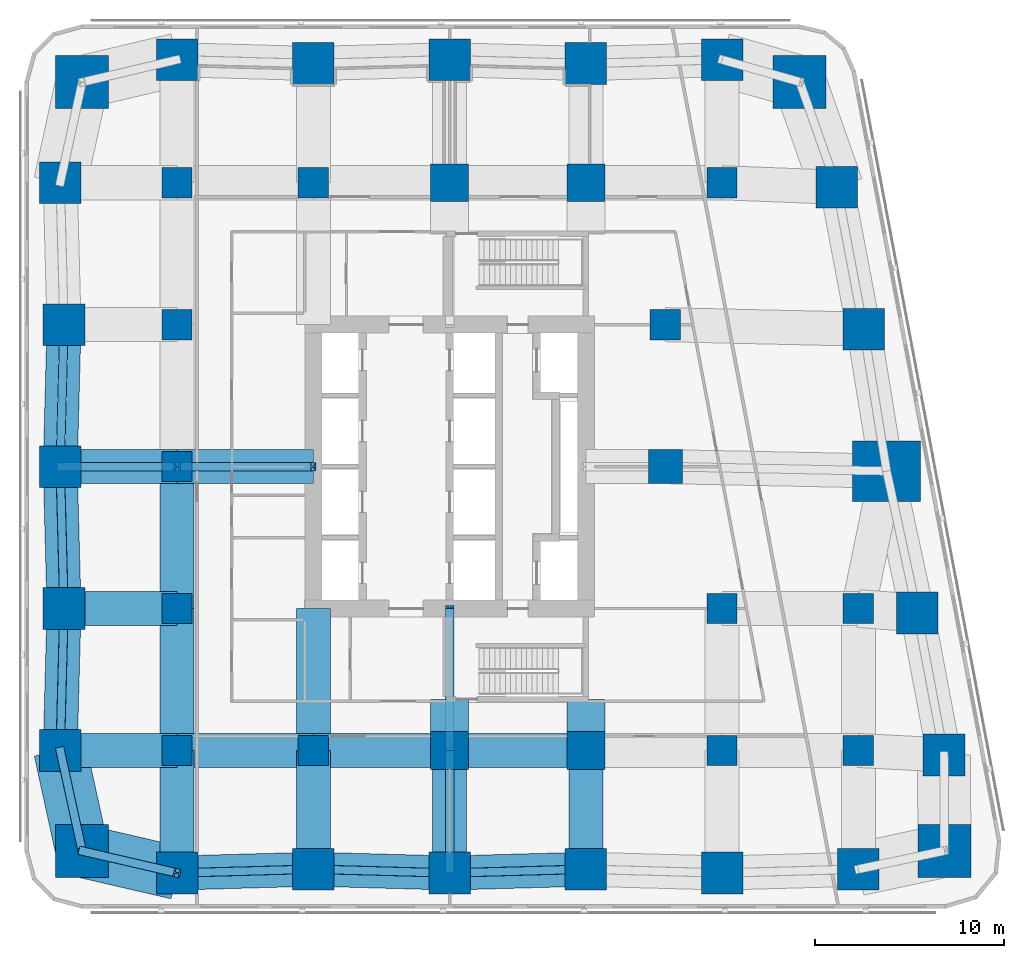
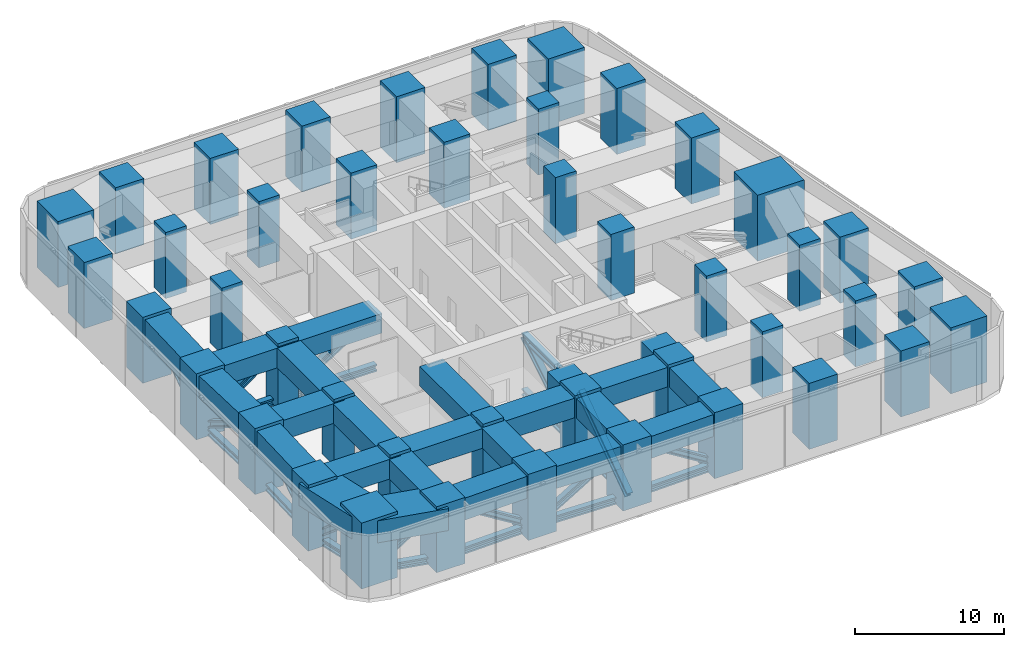
# One storey, part 1 of 10: 43 columns, 24 beams, 24 members.
"""IFC4 building model written with IfcOpenShell, lengths in metres."""

from ifc_helpers import new_model, si_unit, direction, frame, origin, origin_2d, place, context, subcontext, project, spatial, rectangle, i_section, extrude, material, material_profile, profile_set, type_object, element, save


model = new_model("IFC4")

# Units and contexts
model_context = context("Model", 3, precision=1e-05, world=origin(), true_north=direction((0.0, 1.0)))
body_context = subcontext(model_context, "Body", "Model", "MODEL_VIEW")
ifc_project = project(units=[si_unit("LENGTHUNIT", "METRE"), si_unit("AREAUNIT", "SQUARE_METRE"), si_unit("VOLUMEUNIT", "CUBIC_METRE"), si_unit("PLANEANGLEUNIT", "RADIAN"), si_unit("MASSUNIT", "GRAM", prefix="KILO")], contexts=[model_context])

# Site, building, storey
site_placement = place(None, origin())
site = spatial("IfcSite", under=ifc_project, at=site_placement, CompositionType="ELEMENT")
building_placement = place(site_placement, origin())
building = spatial("IfcBuilding", under=site, at=building_placement, Name="Sheger Commons Tower", CompositionType="ELEMENT")
storey_placement = place(building_placement, frame((0.0, 0.0, 130.39990234375)))
storey = spatial("IfcBuildingStorey", under=building, at=storey_placement, Name="L33", CompositionType="ELEMENT", Elevation=130.39990234375)

# Columns
ifc_material_1 = material(Name="Concrete C50/60", Category="concrete")
ifc_material_profile_1 = material_profile(ifc_material_1, rectangle(XDim=3.60009765625, YDim=3.199951171875, at=origin_2d()), Name="RC 3600x3200")
ifc_profile_set_1 = profile_set([ifc_material_profile_1], Name="Concrete C50/60")
column_type_1 = type_object("IfcColumnType", Name="COLUMN PIER RC 3600x3200", PredefinedType="COLUMN", material=ifc_profile_set_1)
column_1_placement = place(storey_placement, frame((44.697021484375, 22.262939453125, 0.0), z_axis=(0.0, 0.0, 1.0), x_axis=(1.0, 0.0, 0.0)))
element("IfcColumn", 1, at=column_1_placement, inside=storey, type_object=column_type_1, Name="Pier 7/D+E/D L33", PredefinedType="COLUMN", context=body_context, shape_type="SweptSolid", body=[
    extrude(rectangle(XDim=3.60009765625, YDim=3.199951171875, at=origin_2d()), origin(), (0.0, 0.0, 1.0), 5.400146484375),
])
ifc_material_2 = material(Name="Concrete C50/60", Category="concrete")
ifc_material_profile_2 = material_profile(ifc_material_2, rectangle(XDim=1.60009765625, YDim=1.60009765625, at=origin_2d()), Name="RC 1600x1600")
ifc_profile_set_2 = profile_set([ifc_material_profile_2], Name="Concrete C50/60")
column_type_2 = type_object("IfcColumnType", Name="COLUMN RC 1600x1600", PredefinedType="COLUMN", material=ifc_profile_set_2)
for number, where, z_axis, x_axis, name in (
    (2, (7.199951171875, 7.5, 0.0), (0.0, 0.0, 1.0), (1.0, 0.0, 0.0), "Column 2/B L33"),
    (3, (14.39990234375, 7.5, 0.0), (0.0, 0.0, 1.0), (1.0, 0.0, 0.0), "Column 3/B L33"),
    (4, (36.0, 7.5, 0.0), (0.0, 0.0, 1.0), (1.0, 0.0, 0.0), "Column 6/B L33"),
    (5, (43.199951171875, 7.5, 0.0), (0.0, 0.0, 1.0), (1.0, 0.0, 0.0), "Column 7/B L33"),
    (6, (7.199951171875, 15.0, 0.0), (0.0, 0.0, 1.0), (1.0, 0.0, 0.0), "Column 2/C L33"),
    (7, (36.0, 15.0, 0.0), (0.0, 0.0, 1.0), (1.0, 0.0, 0.0), "Column 6/C L33"),
    (8, (43.199951171875, 15.0, 0.0), (0.0, 0.0, 1.0), (1.0, 0.0, 0.0), "Column 7/C L33"),
    (9, (7.199951171875, 22.5, 0.0), (0.0, 0.0, 1.0), (1.0, 0.0, 0.0), "Column 2/D L33"),
    (10, (7.199951171875, 30.0, 0.0), (0.0, 0.0, 1.0), (1.0, 0.0, 0.0), "Column 2/E L33"),
    (11, (33.0, 30.0, 0.0), (0.0, 0.0, 1.0), (1.0, 0.0, 0.0), "Column 6-3000/E L33"),
    (12, (7.199951171875, 37.5, 0.0), (0.0, 0.0, 1.0), (1.0, 0.0, 0.0), "Column 2/F L33"),
    (13, (14.39990234375, 37.5, 0.0), (0.0, 0.0, 1.0), (1.0, 0.0, 0.0), "Column 3/F L33"),
    (14, (36.0, 37.5, 0.0), (0.0, 0.0, 1.0), (1.0, 0.0, 0.0), "Column 6/F L33"),
):
    element("IfcColumn", number, at=place(storey_placement, frame(where, z_axis=z_axis, x_axis=x_axis)), inside=storey, type_object=column_type_2, Name=name, PredefinedType="COLUMN", context=body_context, shape_type="SweptSolid", body=[
        extrude(rectangle(XDim=1.60009765625, YDim=1.60009765625, at=origin_2d()), origin(), (0.0, 0.0, 1.0), 5.400146484375),
    ])
ifc_material_3 = material(Name="Concrete C50/60", Category="concrete")
ifc_material_profile_3 = material_profile(ifc_material_3, rectangle(XDim=1.800048828125, YDim=1.800048828125, at=origin_2d()), Name="RC 1800x1800")
ifc_profile_set_3 = profile_set([ifc_material_profile_3], Name="Concrete C50/60")
column_type_3 = type_object("IfcColumnType", Name="COLUMN RC 1800x1800", PredefinedType="COLUMN", material=ifc_profile_set_3)
column_2_placement = place(storey_placement, frame((33.0, 22.5, 0.0), z_axis=(0.0, 0.0, 1.0), x_axis=(1.0, 0.0, 0.0)))
element("IfcColumn", 15, at=column_2_placement, inside=storey, type_object=column_type_3, Name="Column 6-3000/D L33", PredefinedType="COLUMN", context=body_context, shape_type="SweptSolid", body=[
    extrude(rectangle(XDim=1.800048828125, YDim=1.800048828125, at=origin_2d()), origin(), (0.0, 0.0, 1.0), 5.400146484375),
])
ifc_material_4 = material(Name="Concrete C50/60", Category="concrete")
ifc_material_profile_4 = material_profile(ifc_material_4, rectangle(XDim=2.0, YDim=2.0, at=origin_2d()), Name="RC 2000x2000")
ifc_profile_set_4 = profile_set([ifc_material_profile_4], Name="Concrete C50/60")
column_type_4 = type_object("IfcColumnType", Name="COLUMN RC 2000x2000", PredefinedType="COLUMN", material=ifc_profile_set_4)
for number, where, z_axis, x_axis, name in (
    (16, (21.60009765625, 7.5, 0.0), (0.0, 0.0, 1.0), (1.0, 0.0, 0.0), "Column 4/B L33"),
    (17, (28.800048828125, 7.5, 0.0), (0.0, 0.0, 1.0), (1.0, 0.0, 0.0), "Column 5/B L33"),
    (18, (21.60009765625, 37.5, 0.0), (0.0, 0.0, 1.0), (1.0, 0.0, 0.0), "Column 4/F L33"),
    (19, (28.800048828125, 37.5, 0.0), (0.0, 0.0, 1.0), (1.0, 0.0, 0.0), "Column 5/F L33"),
):
    element("IfcColumn", number, at=place(storey_placement, frame(where, z_axis=z_axis, x_axis=x_axis)), inside=storey, type_object=column_type_4, Name=name, PredefinedType="COLUMN", context=body_context, shape_type="SweptSolid", body=[
        extrude(rectangle(XDim=2.0, YDim=2.0, at=origin_2d()), origin(), (0.0, 0.0, 1.0), 5.400146484375),
    ])
ifc_material_5 = material(Name="Concrete C50/60", Category="concrete")
ifc_material_profile_5 = material_profile(ifc_material_5, rectangle(XDim=2.199951171875, YDim=2.199951171875, at=origin_2d()), Name="RC 2200x2200")
ifc_profile_set_5 = profile_set([ifc_material_profile_5], Name="Concrete C50/60")
column_type_5 = type_object("IfcColumnType", Name="COLUMN RC 2200x2200", PredefinedType="COLUMN", material=ifc_profile_set_5)
for number, where, z_axis, x_axis, name in (
    (20, (7.199951171875, 1.02490234375, 0.0), (0.0, 0.0, 1.0), (1.0, 0.0, 0.0), "Column 2/A L33"),
    (21, (14.39990234375, 1.22509765625, 0.0), (0.0, 0.0, 1.0), (1.0, 0.0, 0.0), "Column 3/A L33"),
    (22, (21.60009765625, 1.02490234375, 0.0), (0.0, 0.0, 1.0), (1.0, 0.0, 0.0), "Column 4/A L33"),
    (23, (28.800048828125, 1.22509765625, 0.0), (0.0, 0.0, 1.0), (1.0, 0.0, 0.0), "Column 5/A L33"),
    (24, (36.0, 1.02490234375, 0.0), (0.0, 0.0, 1.0), (1.0, 0.0, 0.0), "Column 6/A L33"),
    (25, (43.199951171875, 1.22509765625, 0.0), (0.0, 0.0, 1.0), (1.0, 0.0, 0.0), "Column 7/A L33"),
    (26, (1.02490234375, 7.5, 0.0), (0.0, 0.0, 1.0), (1.0, 0.0, 0.0), "Column 1/B L33"),
    (27, (47.72998046875, 7.262939453125, 0.0), (0.0, 0.0, 1.0), (1.0, 0.0, 0.0), "Column E/B L33"),
    (28, (1.22509765625, 15.0, 0.0), (0.0, 0.0, 1.0), (1.0, 0.0, 0.0), "Column 1/C L33"),
    (29, (46.31396484375, 14.762939453125, 0.0), (0.0, 0.0, 1.0), (1.0, 0.0, 0.0), "Column E/C L33"),
    (30, (1.02490234375, 22.5, 0.0), (0.0, 0.0, 1.0), (1.0, 0.0, 0.0), "Column 1/D L33"),
    (31, (1.22509765625, 30.0, 0.0), (0.0, 0.0, 1.0), (1.0, 0.0, 0.0), "Column 1/E L33"),
    (32, (43.47998046875, 29.762939453125, 0.0), (0.0, 0.0, 1.0), (1.0, 0.0, 0.0), "Column E/E L33"),
    (33, (1.02490234375, 37.5, 0.0), (0.0, 0.0, 1.0), (1.0, 0.0, 0.0), "Column 1/F L33"),
    (34, (42.06396484375, 37.262939453125, 0.0), (0.0, 0.0, 1.0), (1.0, 0.0, 0.0), "Column E/F L33"),
    (35, (7.199951171875, 44.0, 0.0), (0.0, 0.0, 1.0), (1.0, 0.0, 0.0), "Column 2/G L33"),
    (36, (14.39990234375, 43.800048828125, 0.0), (0.0, 0.0, 1.0), (1.0, 0.0, 0.0), "Column 3/G L33"),
    (37, (21.60009765625, 44.0, 0.0), (0.0, 0.0, 1.0), (1.0, 0.0, 0.0), "Column 4/G L33"),
    (38, (28.800048828125, 43.800048828125, 0.0), (0.0, 0.0, 1.0), (1.0, 0.0, 0.0), "Column 5/G L33"),
    (39, (36.0, 44.0, 0.0), (0.0, 0.0, 1.0), (1.0, 0.0, 0.0), "Column 6/G L33"),
):
    element("IfcColumn", number, at=place(storey_placement, frame(where, z_axis=z_axis, x_axis=x_axis)), inside=storey, type_object=column_type_5, Name=name, PredefinedType="COLUMN", context=body_context, shape_type="SweptSolid", body=[
        extrude(rectangle(XDim=2.199951171875, YDim=2.199951171875, at=origin_2d()), origin(), (0.0, 0.0, 1.0), 5.400146484375),
    ])
ifc_material_6 = material(Name="Concrete C50/60", Category="concrete")
ifc_material_profile_6 = material_profile(ifc_material_6, rectangle(XDim=2.800048828125, YDim=2.800048828125, at=origin_2d()), Name="RC 2800x2800")
ifc_profile_set_6 = profile_set([ifc_material_profile_6], Name="Concrete C50/60")
column_type_6 = type_object("IfcColumnType", Name="COLUMN RC 2800x2800", PredefinedType="COLUMN", material=ifc_profile_set_6)
for number, where, z_axis, x_axis, name in (
    (40, (2.18603515625, 2.18603515625, 0.0), (0.0, 0.0, 1.0), (1.0, 0.0, 0.0), "Column 0.630,0.630 L33"),
    (41, (47.748046875, 2.197021484375, 0.0), (0.0, 0.0, 1.0), (1.0, 0.0, 0.0), "Column 49.461,0.778 L33"),
    (42, (2.18603515625, 42.81396484375, 0.0), (0.0, 0.0, 1.0), (1.0, 0.0, 0.0), "Column 0.630,44.370 L33"),
    (43, (40.10205078125, 42.830078125, 0.0), (0.0, 0.0, 1.0), (1.0, 0.0, 0.0), "Column 41.490,44.505 L33"),
):
    element("IfcColumn", number, at=place(storey_placement, frame(where, z_axis=z_axis, x_axis=x_axis)), inside=storey, type_object=column_type_6, Name=name, PredefinedType="COLUMN", context=body_context, shape_type="SweptSolid", body=[
        extrude(rectangle(XDim=2.800048828125, YDim=2.800048828125, at=origin_2d()), origin(), (0.0, 0.0, 1.0), 5.400146484375),
    ])

# Beams
ifc_material_7 = material(Name="Concrete C50/60", Category="concrete")
ifc_material_profile_7 = material_profile(ifc_material_7, rectangle(XDim=1.800048828125, YDim=1.60009765625, at=origin_2d()), Name="RC 1800x1600")
ifc_profile_set_7 = profile_set([ifc_material_profile_7], Name="Concrete C50/60")
beam_type_1 = type_object("IfcBeamType", Name="BEAM RC 1800x1600", PredefinedType="BEAM", material=ifc_profile_set_7)
beam_1_placement = place(storey_placement, frame((1.02490234375, 7.5, 4.35009765625), z_axis=(1.0, 0.0, 0.0), x_axis=(0.0, 1.0, 0.0)))
element("IfcBeam", 44, at=beam_1_placement, inside=storey, type_object=beam_type_1, Name="Beam 1/B-2/B under L34", PredefinedType="BEAM", context=body_context, shape_type="SweptSolid", body=[
    extrude(rectangle(XDim=1.800048828125, YDim=1.60009765625, at=origin_2d()), origin(), (0.0, 0.0, 1.0), 6.175048828125),
])
beam_2_placement = place(storey_placement, frame((7.199951171875, 7.5, 4.35009765625), z_axis=(1.0, 0.0, 0.0), x_axis=(0.0, 1.0, 0.0)))
element("IfcBeam", 45, at=beam_2_placement, inside=storey, type_object=beam_type_1, Name="Beam 2/B-3/B under L34", PredefinedType="BEAM", context=body_context, shape_type="SweptSolid", body=[
    extrude(rectangle(XDim=1.800048828125, YDim=1.60009765625, at=origin_2d()), origin(), (0.0, 0.0, 1.0), 7.199951171875),
])
beam_3_placement = place(storey_placement, frame((14.39990234375, 7.5, 4.35009765625), z_axis=(1.0, 0.0, 0.0), x_axis=(0.0, 1.0, 0.0)))
element("IfcBeam", 46, at=beam_3_placement, inside=storey, type_object=beam_type_1, Name="Beam 3/B-4/B under L34", PredefinedType="BEAM", context=body_context, shape_type="SweptSolid", body=[
    extrude(rectangle(XDim=1.800048828125, YDim=1.60009765625, at=origin_2d()), origin(), (0.0, 0.0, 1.0), 7.2001953125),
])
beam_4_placement = place(storey_placement, frame((21.60009765625, 7.5, 4.35009765625), z_axis=(1.0, 0.0, 0.0), x_axis=(0.0, 1.0, 0.0)))
element("IfcBeam", 47, at=beam_4_placement, inside=storey, type_object=beam_type_1, Name="Beam 4/B-5/B under L34", PredefinedType="BEAM", context=body_context, shape_type="SweptSolid", body=[
    extrude(rectangle(XDim=1.800048828125, YDim=1.60009765625, at=origin_2d()), origin(), (0.0, 0.0, 1.0), 7.199951171875),
])
beam_5_placement = place(storey_placement, frame((1.22509765625, 15.0, 4.35009765625), z_axis=(1.0, 0.0, 0.0), x_axis=(0.0, 1.0, 0.0)))
element("IfcBeam", 48, at=beam_5_placement, inside=storey, type_object=beam_type_1, Name="Beam 1/C-2/C under L34", PredefinedType="BEAM", context=body_context, shape_type="SweptSolid", body=[
    extrude(rectangle(XDim=1.800048828125, YDim=1.60009765625, at=origin_2d()), origin(), (0.0, 0.0, 1.0), 5.974853515625),
])
beam_6_placement = place(storey_placement, frame((1.02490234375, 22.5, 4.35009765625), z_axis=(1.0, 0.0, 0.0), x_axis=(0.0, 1.0, 0.0)))
element("IfcBeam", 49, at=beam_6_placement, inside=storey, type_object=beam_type_1, Name="Beam 1/D-2/D under L34", PredefinedType="BEAM", context=body_context, shape_type="SweptSolid", body=[
    extrude(rectangle(XDim=1.800048828125, YDim=1.60009765625, at=origin_2d()), origin(), (0.0, 0.0, 1.0), 6.175048828125),
])
beam_7_placement = place(storey_placement, frame((7.199951171875, 22.5, 4.35009765625), z_axis=(1.0, 0.0, 0.0), x_axis=(0.0, 1.0, 0.0)))
element("IfcBeam", 50, at=beam_7_placement, inside=storey, type_object=beam_type_1, Name="Beam 2/D-3/D under L34", PredefinedType="BEAM", context=body_context, shape_type="SweptSolid", body=[
    extrude(rectangle(XDim=1.800048828125, YDim=1.60009765625, at=origin_2d()), origin(), (0.0, 0.0, 1.0), 7.199951171875),
])
beam_8_placement = place(storey_placement, frame((7.199951171875, 1.02490234375, 4.35009765625), z_axis=(0.0, 1.0, 0.0), x_axis=(-1.0, 0.0, 0.0)))
element("IfcBeam", 51, at=beam_8_placement, inside=storey, type_object=beam_type_1, Name="Beam 2/A-2/B under L34", PredefinedType="BEAM", context=body_context, shape_type="SweptSolid", body=[
    extrude(rectangle(XDim=1.800048828125, YDim=1.60009765625, at=origin_2d()), origin(), (0.0, 0.0, 1.0), 6.47509765625),
])
for number, where, z_axis, x_axis, name in (
    (52, (7.199951171875, 7.5, 4.35009765625), (0.0, 1.0, 0.0), (-1.0, 0.0, 0.0), "Beam 2/B-2/C under L34"),
    (53, (7.199951171875, 15.0, 4.35009765625), (0.0, 1.0, 0.0), (-1.0, 0.0, 0.0), "Beam 2/C-2/D under L34"),
):
    element("IfcBeam", number, at=place(storey_placement, frame(where, z_axis=z_axis, x_axis=x_axis)), inside=storey, type_object=beam_type_1, Name=name, PredefinedType="BEAM", context=body_context, shape_type="SweptSolid", body=[
        extrude(rectangle(XDim=1.800048828125, YDim=1.60009765625, at=origin_2d()), origin(), (0.0, 0.0, 1.0), 7.5),
    ])
beam_9_placement = place(storey_placement, frame((14.39990234375, 1.22509765625, 4.35009765625), z_axis=(0.0, 1.0, 0.0), x_axis=(-1.0, 0.0, 0.0)))
element("IfcBeam", 54, at=beam_9_placement, inside=storey, type_object=beam_type_1, Name="Beam 3/A-3/B under L34", PredefinedType="BEAM", context=body_context, shape_type="SweptSolid", body=[
    extrude(rectangle(XDim=1.800048828125, YDim=1.60009765625, at=origin_2d()), origin(), (0.0, 0.0, 1.0), 6.27490234375),
])
beam_10_placement = place(storey_placement, frame((14.39990234375, 7.5, 4.35009765625), z_axis=(0.0, 1.0, 0.0), x_axis=(-1.0, 0.0, 0.0)))
element("IfcBeam", 55, at=beam_10_placement, inside=storey, type_object=beam_type_1, Name="Beam 3/B-3/C under L34", PredefinedType="BEAM", context=body_context, shape_type="SweptSolid", body=[
    extrude(rectangle(XDim=1.800048828125, YDim=1.60009765625, at=origin_2d()), origin(), (0.0, 0.0, 1.0), 7.5),
])
beam_11_placement = place(storey_placement, frame((21.60009765625, 1.02490234375, 4.35009765625), z_axis=(0.0, 1.0, 0.0), x_axis=(-1.0, 0.0, 0.0)))
element("IfcBeam", 56, at=beam_11_placement, inside=storey, type_object=beam_type_1, Name="Beam 4/A-4/B under L34", PredefinedType="BEAM", context=body_context, shape_type="SweptSolid", body=[
    extrude(rectangle(XDim=1.800048828125, YDim=1.60009765625, at=origin_2d()), origin(), (0.0, 0.0, 1.0), 6.47509765625),
])
beam_12_placement = place(storey_placement, frame((28.800048828125, 1.22509765625, 4.35009765625), z_axis=(0.0, 1.0, 0.0), x_axis=(-1.0, 0.0, 0.0)))
element("IfcBeam", 57, at=beam_12_placement, inside=storey, type_object=beam_type_1, Name="Beam 5/A-5/B under L34", PredefinedType="BEAM", context=body_context, shape_type="SweptSolid", body=[
    extrude(rectangle(XDim=1.800048828125, YDim=1.60009765625, at=origin_2d()), origin(), (0.0, 0.0, 1.0), 6.27490234375),
])
ifc_material_8 = material(Name="Concrete C50/60", Category="concrete")
ifc_material_profile_8 = material_profile(ifc_material_8, rectangle(XDim=2.0, YDim=2.0, at=origin_2d()), Name="RC 2000x2000")
ifc_profile_set_8 = profile_set([ifc_material_profile_8], Name="Concrete C50/60")
beam_type_2 = type_object("IfcBeamType", Name="BEAM RC 2000x2000", PredefinedType="BEAM", material=ifc_profile_set_8)
for number, where, z_axis, x_axis, name in (
    (58, (21.60009765625, 7.5, 4.150146484375), (0.0, 1.0, 0.0), (-1.0, 0.0, 0.0), "Beam 4/B-21.600,10.200 under L34"),
    (59, (28.800048828125, 7.5, 4.150146484375), (0.0, 1.0, 0.0), (-1.0, 0.0, 0.0), "Beam 5/B-28.800,10.200 under L34"),
):
    element("IfcBeam", number, at=place(storey_placement, frame(where, z_axis=z_axis, x_axis=x_axis)), inside=storey, type_object=beam_type_2, Name=name, PredefinedType="BEAM", context=body_context, shape_type="SweptSolid", body=[
        extrude(rectangle(XDim=2.0, YDim=2.0, at=origin_2d()), origin(), (0.0, 0.0, 1.0), 2.699951171875),
    ])

# Members
ifc_material_9 = material(Name="Steel S460", Category="steel")
ifc_material_profile_9 = material_profile(ifc_material_9, i_section(OverallWidth=0.4541015625, OverallDepth=0.569091796875, WebThickness=0.077880859375, FlangeThickness=0.125, at=origin_2d()), Name="HD 400x1086")
ifc_profile_set_9 = profile_set([ifc_material_profile_9], Name="Steel S460")
member_type_1 = type_object("IfcMemberType", Name="BRACE HD 400x1086", PredefinedType="BRACE", material=ifc_profile_set_9)
member_1_placement = place(storey_placement, frame((21.60009765625, 15.0, 4.85009765625), z_axis=(0.0, -0.85496560345, -0.518684698942), x_axis=(1.0, 0.0, 0.0)))
element("IfcMember", 60, at=member_1_placement, inside=storey, type_object=member_type_1, Name="Outrigger S diagonal 1", PredefinedType="BRACE", context=body_context, shape_type="SweptSolid", body=[
    extrude(i_section(OverallWidth=0.4541015625, OverallDepth=0.569091796875, WebThickness=0.077880859375, FlangeThickness=0.125, at=origin_2d()), origin(), (0.0, 0.0, 1.0), 8.772216796875),
])
member_2_placement = place(storey_placement, frame((21.60009765625, 7.5, 4.85009765625), z_axis=(0.0, -0.818192873518, -0.574943842235), x_axis=(1.0, 0.0, 0.0)))
element("IfcMember", 61, at=member_2_placement, inside=storey, type_object=member_type_1, Name="Outrigger S diagonal 2", PredefinedType="BRACE", context=body_context, shape_type="SweptSolid", body=[
    extrude(i_section(OverallWidth=0.4541015625, OverallDepth=0.569091796875, WebThickness=0.077880859375, FlangeThickness=0.125, at=origin_2d()), origin(), (0.0, 0.0, 1.0), 7.913818359375),
])
member_3_placement = place(storey_placement, frame((14.39990234375, 22.5, 4.85009765625), z_axis=(-0.845345152514, 0.0, -0.534220528548), x_axis=(0.0, -1.0, 0.0)))
element("IfcMember", 62, at=member_3_placement, inside=storey, type_object=member_type_1, Name="Outrigger W diagonal 1", PredefinedType="BRACE", context=body_context, shape_type="SweptSolid", body=[
    extrude(i_section(OverallWidth=0.4541015625, OverallDepth=0.569091796875, WebThickness=0.077880859375, FlangeThickness=0.125, at=origin_2d()), origin(), (0.0, 0.0, 1.0), 8.51708984375),
])
member_4_placement = place(storey_placement, frame((7.199951171875, 22.5, 4.85009765625), z_axis=(-0.805055037338, 0.0, -0.593200123784), x_axis=(0.0, -1.0, 0.0)))
element("IfcMember", 63, at=member_4_placement, inside=storey, type_object=member_type_1, Name="Outrigger W diagonal 2", PredefinedType="BRACE", context=body_context, shape_type="SweptSolid", body=[
    extrude(i_section(OverallWidth=0.4541015625, OverallDepth=0.569091796875, WebThickness=0.077880859375, FlangeThickness=0.125, at=origin_2d()), origin(), (0.0, 0.0, 1.0), 7.67041015625),
])
ifc_material_10 = material(Name="Steel S460", Category="steel")
ifc_material_profile_10 = material_profile(ifc_material_10, i_section(OverallWidth=0.44189453125, OverallDepth=0.531005859375, WebThickness=0.06591796875, FlangeThickness=0.10595703125, at=origin_2d()), Name="HD 400x900")
ifc_profile_set_10 = profile_set([ifc_material_profile_10], Name="Steel S460")
member_type_2 = type_object("IfcMemberType", Name="BRACE HD 400x900", PredefinedType="BRACE", material=ifc_profile_set_10)
member_5_placement = place(storey_placement, frame((2.18603515625, 2.18603515625, 0.300048828125), z_axis=(0.729876933759, -0.169026376635, 0.662351678165), x_axis=(0.225611239159, 0.974217413499, 0.0)))
element("IfcMember", 64, at=member_5_placement, inside=storey, type_object=member_type_2, Name="Belt truss diagonal 2.186,2.186-7.200,1.025", PredefinedType="BRACE", context=body_context, shape_type="SweptSolid", body=[
    extrude(i_section(OverallWidth=0.44189453125, OverallDepth=0.531005859375, WebThickness=0.06591796875, FlangeThickness=0.10595703125, at=origin_2d()), origin(), (0.0, 0.0, 1.0), 6.86962890625),
])
member_6_placement = place(storey_placement, frame((14.39990234375, 1.22509765625, 0.300048828125), z_axis=(-0.845111730935, -0.023498410341, 0.534073016494), x_axis=(0.027794350926, -0.9996136624, 0.0)))
element("IfcMember", 65, at=member_6_placement, inside=storey, type_object=member_type_2, Name="Belt truss diagonal 7.200,1.025-14.400,1.225", PredefinedType="BRACE", context=body_context, shape_type="SweptSolid", body=[
    extrude(i_section(OverallWidth=0.44189453125, OverallDepth=0.531005859375, WebThickness=0.06591796875, FlangeThickness=0.10595703125, at=origin_2d()), origin(), (0.0, 0.0, 1.0), 8.51953125),
])
member_7_placement = place(storey_placement, frame((14.39990234375, 1.22509765625, 0.300048828125), z_axis=(0.845119920297, -0.023497841267, 0.53406008255), x_axis=(0.027793409217, 0.999613688584, 0.0)))
element("IfcMember", 66, at=member_7_placement, inside=storey, type_object=member_type_2, Name="Belt truss diagonal 14.400,1.225-21.600,1.025", PredefinedType="BRACE", context=body_context, shape_type="SweptSolid", body=[
    extrude(i_section(OverallWidth=0.44189453125, OverallDepth=0.531005859375, WebThickness=0.06591796875, FlangeThickness=0.10595703125, at=origin_2d()), origin(), (0.0, 0.0, 1.0), 8.519775390625),
])
member_8_placement = place(storey_placement, frame((28.800048828125, 1.22509765625, 0.300048828125), z_axis=(-0.845111730935, -0.023498410341, 0.534073016494), x_axis=(0.027794350926, -0.9996136624, 0.0)))
element("IfcMember", 67, at=member_8_placement, inside=storey, type_object=member_type_2, Name="Belt truss diagonal 21.600,1.025-28.800,1.225", PredefinedType="BRACE", context=body_context, shape_type="SweptSolid", body=[
    extrude(i_section(OverallWidth=0.44189453125, OverallDepth=0.531005859375, WebThickness=0.06591796875, FlangeThickness=0.10595703125, at=origin_2d()), origin(), (0.0, 0.0, 1.0), 8.51953125),
])
for number, where, z_axis, x_axis, name in (
    (68, (1.02490234375, 22.5, 0.300048828125), (0.022815406971, 0.854743051392, 0.518549682578), (-0.999643939919, 0.026683204125, 0.0), "Belt truss diagonal 1+1225/E-1+1025/D"),
    (69, (1.02490234375, 22.5, 0.300048828125), (0.022815406971, -0.854743051392, 0.518549682578), (0.999643939919, 0.026683204125, 0.0), "Belt truss diagonal 1+1025/D-1+1225/C"),
    (70, (1.02490234375, 7.5, 0.300048828125), (0.022815406971, 0.854743051392, 0.518549682578), (-0.999643939919, 0.026683204125, 0.0), "Belt truss diagonal 1+1225/C-1+1025/B"),
):
    element("IfcMember", number, at=place(storey_placement, frame(where, z_axis=z_axis, x_axis=x_axis)), inside=storey, type_object=member_type_2, Name=name, PredefinedType="BRACE", context=body_context, shape_type="SweptSolid", body=[
        extrude(i_section(OverallWidth=0.44189453125, OverallDepth=0.531005859375, WebThickness=0.06591796875, FlangeThickness=0.10595703125, at=origin_2d()), origin(), (0.0, 0.0, 1.0), 8.774658203125),
    ])
member_9_placement = place(storey_placement, frame((1.02490234375, 7.5, 0.300048828125), z_axis=(0.163735815706, -0.749342675496, 0.641619932152), x_axis=(0.976949769283, 0.213469314652, 0.0)))
element("IfcMember", 71, at=member_9_placement, inside=storey, type_object=member_type_2, Name="Belt truss diagonal 1+1025/B-2.186,2.186", PredefinedType="BRACE", context=body_context, shape_type="SweptSolid", body=[
    extrude(i_section(OverallWidth=0.44189453125, OverallDepth=0.531005859375, WebThickness=0.06591796875, FlangeThickness=0.10595703125, at=origin_2d()), origin(), (0.0, 0.0, 1.0), 7.091552734375),
])
ifc_material_11 = material(Name="Steel S460", Category="steel")
ifc_material_profile_11 = material_profile(ifc_material_11, i_section(OverallWidth=0.4541015625, OverallDepth=0.569091796875, WebThickness=0.077880859375, FlangeThickness=0.125, at=origin_2d()), Name="HD 400x1086")
ifc_profile_set_11 = profile_set([ifc_material_profile_11], Name="Steel S460")
member_type_3 = type_object("IfcMemberType", Name="CHORD HD 400x1086", PredefinedType="CHORD", material=ifc_profile_set_11)
member_10_placement = place(storey_placement, frame((2.18603515625, 2.18603515625, 0.300048828125), z_axis=(0.974217413499, -0.225611239159, 0.0), x_axis=(0.225611239159, 0.974217413499, 0.0)))
element("IfcMember", 72, at=member_10_placement, inside=storey, type_object=member_type_3, Name="Belt truss bottom chord 2.186,2.186-7.200,1.025", PredefinedType="CHORD", context=body_context, shape_type="SweptSolid", body=[
    extrude(i_section(OverallWidth=0.4541015625, OverallDepth=0.569091796875, WebThickness=0.077880859375, FlangeThickness=0.125, at=origin_2d()), origin(), (0.0, 0.0, 1.0), 5.146728515625),
])
member_11_placement = place(storey_placement, frame((7.199951171875, 1.02490234375, 0.300048828125), z_axis=(0.9996136624, 0.027794350926, 0.0), x_axis=(-0.027794350926, 0.9996136624, 0.0)))
element("IfcMember", 73, at=member_11_placement, inside=storey, type_object=member_type_3, Name="Belt truss bottom chord 7.200,1.025-14.400,1.225", PredefinedType="CHORD", context=body_context, shape_type="SweptSolid", body=[
    extrude(i_section(OverallWidth=0.4541015625, OverallDepth=0.569091796875, WebThickness=0.077880859375, FlangeThickness=0.125, at=origin_2d()), origin(), (0.0, 0.0, 1.0), 7.20263671875),
])
member_12_placement = place(storey_placement, frame((14.39990234375, 1.22509765625, 0.300048828125), z_axis=(0.999613688584, -0.027793409217, 0.0), x_axis=(0.027793409217, 0.999613688584, 0.0)))
element("IfcMember", 74, at=member_12_placement, inside=storey, type_object=member_type_3, Name="Belt truss bottom chord 14.400,1.225-21.600,1.025", PredefinedType="CHORD", context=body_context, shape_type="SweptSolid", body=[
    extrude(i_section(OverallWidth=0.4541015625, OverallDepth=0.569091796875, WebThickness=0.077880859375, FlangeThickness=0.125, at=origin_2d()), origin(), (0.0, 0.0, 1.0), 7.202880859375),
])
member_13_placement = place(storey_placement, frame((21.60009765625, 1.02490234375, 0.300048828125), z_axis=(0.9996136624, 0.027794350926, 0.0), x_axis=(-0.027794350926, 0.9996136624, 0.0)))
element("IfcMember", 75, at=member_13_placement, inside=storey, type_object=member_type_3, Name="Belt truss bottom chord 21.600,1.025-28.800,1.225", PredefinedType="CHORD", context=body_context, shape_type="SweptSolid", body=[
    extrude(i_section(OverallWidth=0.4541015625, OverallDepth=0.569091796875, WebThickness=0.077880859375, FlangeThickness=0.125, at=origin_2d()), origin(), (0.0, 0.0, 1.0), 7.20263671875),
])
for number, where, z_axis, x_axis, name in (
    (76, (1.02490234375, 22.5, 0.300048828125), (0.026683204125, -0.999643939919, 0.0), (0.999643939919, 0.026683204125, 0.0), "Belt truss bottom chord 1+1025/D-1+1225/C"),
    (77, (1.22509765625, 15.0, 0.300048828125), (-0.026683204125, -0.999643939919, 0.0), (0.999643939919, -0.026683204125, 0.0), "Belt truss bottom chord 1+1225/C-1+1025/B"),
):
    element("IfcMember", number, at=place(storey_placement, frame(where, z_axis=z_axis, x_axis=x_axis)), inside=storey, type_object=member_type_3, Name=name, PredefinedType="CHORD", context=body_context, shape_type="SweptSolid", body=[
        extrude(i_section(OverallWidth=0.4541015625, OverallDepth=0.569091796875, WebThickness=0.077880859375, FlangeThickness=0.125, at=origin_2d()), origin(), (0.0, 0.0, 1.0), 7.502685546875),
    ])
member_14_placement = place(storey_placement, frame((1.02490234375, 7.5, 0.300048828125), z_axis=(0.213469314652, -0.976949769283, 0.0), x_axis=(0.976949769283, 0.213469314652, 0.0)))
element("IfcMember", 78, at=member_14_placement, inside=storey, type_object=member_type_3, Name="Belt truss bottom chord 1+1025/B-2.186,2.186", PredefinedType="CHORD", context=body_context, shape_type="SweptSolid", body=[
    extrude(i_section(OverallWidth=0.4541015625, OverallDepth=0.569091796875, WebThickness=0.077880859375, FlangeThickness=0.125, at=origin_2d()), origin(), (0.0, 0.0, 1.0), 5.439453125),
])
for number, where, z_axis, x_axis, name in (
    (79, (21.60009765625, 15.0, 0.300048828125), (0.0, -1.0, 0.0), (1.0, 0.0, 0.0), "Outrigger S bottom chord 4/C-4/B"),
    (80, (21.60009765625, 15.0, 4.85009765625), (0.0, -1.0, 0.0), (1.0, 0.0, 0.0), "Outrigger S top chord 4/C-4/B"),
):
    element("IfcMember", number, at=place(storey_placement, frame(where, z_axis=z_axis, x_axis=x_axis)), inside=storey, type_object=member_type_3, Name=name, PredefinedType="CHORD", context=body_context, shape_type="SweptSolid", body=[
        extrude(i_section(OverallWidth=0.4541015625, OverallDepth=0.569091796875, WebThickness=0.077880859375, FlangeThickness=0.125, at=origin_2d()), origin(), (0.0, 0.0, 1.0), 7.5),
    ])
member_15_placement = place(storey_placement, frame((21.60009765625, 7.5, 0.300048828125), z_axis=(0.0, -1.0, 0.0), x_axis=(1.0, 0.0, 0.0)))
element("IfcMember", 81, at=member_15_placement, inside=storey, type_object=member_type_3, Name="Outrigger S bottom chord 4/B-21.600,1.025", PredefinedType="CHORD", context=body_context, shape_type="SweptSolid", body=[
    extrude(i_section(OverallWidth=0.4541015625, OverallDepth=0.569091796875, WebThickness=0.077880859375, FlangeThickness=0.125, at=origin_2d()), origin(), (0.0, 0.0, 1.0), 6.47509765625),
])
member_16_placement = place(storey_placement, frame((14.39990234375, 22.5, 0.300048828125), z_axis=(-1.0, 0.0, 0.0), x_axis=(0.0, -1.0, 0.0)))
element("IfcMember", 82, at=member_16_placement, inside=storey, type_object=member_type_3, Name="Outrigger W bottom chord 3/D-2/D", PredefinedType="CHORD", context=body_context, shape_type="SweptSolid", body=[
    extrude(i_section(OverallWidth=0.4541015625, OverallDepth=0.569091796875, WebThickness=0.077880859375, FlangeThickness=0.125, at=origin_2d()), origin(), (0.0, 0.0, 1.0), 7.199951171875),
])
member_17_placement = place(storey_placement, frame((7.199951171875, 22.5, 0.300048828125), z_axis=(-1.0, 0.0, 0.0), x_axis=(0.0, -1.0, 0.0)))
element("IfcMember", 83, at=member_17_placement, inside=storey, type_object=member_type_3, Name="Outrigger W bottom chord 2/D-1+1025/D", PredefinedType="CHORD", context=body_context, shape_type="SweptSolid", body=[
    extrude(i_section(OverallWidth=0.4541015625, OverallDepth=0.569091796875, WebThickness=0.077880859375, FlangeThickness=0.125, at=origin_2d()), origin(), (0.0, 0.0, 1.0), 6.175048828125),
])

# Beams
ifc_material_12 = material(Name="Concrete C50/60", Category="concrete")
ifc_material_profile_12 = material_profile(ifc_material_12, rectangle(XDim=1.800048828125, YDim=1.800048828125, at=origin_2d()), Name="RC 1800x1800")
ifc_profile_set_12 = profile_set([ifc_material_profile_12], Name="Concrete C50/60")
beam_type_3 = type_object("IfcBeamType", Name="SPANDREL RC 1800x1800", PredefinedType="SPANDREL", material=ifc_profile_set_12)
beam_13_placement = place(storey_placement, frame((7.199951171875, 1.02490234375, 4.25), z_axis=(0.9996136624, 0.027794350926, 0.0), x_axis=(-0.027794350926, 0.9996136624, 0.0)))
element("IfcBeam", 84, at=beam_13_placement, inside=storey, type_object=beam_type_3, Name="Beam 2/A-3/A under L34", PredefinedType="SPANDREL", context=body_context, shape_type="SweptSolid", body=[
    extrude(rectangle(XDim=1.800048828125, YDim=1.800048828125, at=origin_2d()), origin(), (0.0, 0.0, 1.0), 7.20263671875),
])
beam_14_placement = place(storey_placement, frame((14.39990234375, 1.22509765625, 4.25), z_axis=(0.999613688584, -0.027793409217, 0.0), x_axis=(0.027793409217, 0.999613688584, 0.0)))
element("IfcBeam", 85, at=beam_14_placement, inside=storey, type_object=beam_type_3, Name="Beam 3/A-4/A under L34", PredefinedType="SPANDREL", context=body_context, shape_type="SweptSolid", body=[
    extrude(rectangle(XDim=1.800048828125, YDim=1.800048828125, at=origin_2d()), origin(), (0.0, 0.0, 1.0), 7.202880859375),
])
beam_15_placement = place(storey_placement, frame((21.60009765625, 1.02490234375, 4.25), z_axis=(0.9996136624, 0.027794350926, 0.0), x_axis=(-0.027794350926, 0.9996136624, 0.0)))
element("IfcBeam", 86, at=beam_15_placement, inside=storey, type_object=beam_type_3, Name="Beam 4/A-5/A under L34", PredefinedType="SPANDREL", context=body_context, shape_type="SweptSolid", body=[
    extrude(rectangle(XDim=1.800048828125, YDim=1.800048828125, at=origin_2d()), origin(), (0.0, 0.0, 1.0), 7.20263671875),
])
for number, where, z_axis, x_axis, name in (
    (87, (1.22509765625, 30.0, 4.25), (-0.026683204125, -0.999643939919, 0.0), (0.999643939919, -0.026683204125, 0.0), "Beam 1/E-1/D under L34"),
    (88, (1.02490234375, 22.5, 4.25), (0.026683204125, -0.999643939919, 0.0), (0.999643939919, 0.026683204125, 0.0), "Beam 1/D-1/C under L34"),
    (89, (1.22509765625, 15.0, 4.25), (-0.026683204125, -0.999643939919, 0.0), (0.999643939919, -0.026683204125, 0.0), "Beam 1/C-1/B under L34"),
):
    element("IfcBeam", number, at=place(storey_placement, frame(where, z_axis=z_axis, x_axis=x_axis)), inside=storey, type_object=beam_type_3, Name=name, PredefinedType="SPANDREL", context=body_context, shape_type="SweptSolid", body=[
        extrude(rectangle(XDim=1.800048828125, YDim=1.800048828125, at=origin_2d()), origin(), (0.0, 0.0, 1.0), 7.502685546875),
    ])
ifc_material_13 = material(Name="Concrete C50/60", Category="concrete")
ifc_material_profile_13 = material_profile(ifc_material_13, rectangle(XDim=2.800048828125, YDim=1.800048828125, at=origin_2d()), Name="RC 2800x1800")
ifc_profile_set_13 = profile_set([ifc_material_profile_13], Name="Concrete C50/60")
beam_type_4 = type_object("IfcBeamType", Name="SPANDREL RC 2800x1800", PredefinedType="SPANDREL", material=ifc_profile_set_13)
beam_16_placement = place(storey_placement, frame((2.18603515625, 2.18603515625, 4.25), z_axis=(0.974217413499, -0.225611239159, 0.0), x_axis=(0.225611239159, 0.974217413499, 0.0)))
element("IfcBeam", 90, at=beam_16_placement, inside=storey, type_object=beam_type_4, Name="Beam 0.630,0.630-2/A under L34", PredefinedType="SPANDREL", context=body_context, shape_type="SweptSolid", body=[
    extrude(rectangle(XDim=2.800048828125, YDim=1.800048828125, at=origin_2d()), origin(), (0.0, 0.0, 1.0), 5.146728515625),
])
beam_17_placement = place(storey_placement, frame((1.02490234375, 7.5, 4.25), z_axis=(0.213469314652, -0.976949769283, 0.0), x_axis=(0.976949769283, 0.213469314652, 0.0)))
element("IfcBeam", 91, at=beam_17_placement, inside=storey, type_object=beam_type_4, Name="Beam 1/B-0.630,0.630 under L34", PredefinedType="SPANDREL", context=body_context, shape_type="SweptSolid", body=[
    extrude(rectangle(XDim=2.800048828125, YDim=1.800048828125, at=origin_2d()), origin(), (0.0, 0.0, 1.0), 5.439453125),
])

save(model, "model.ifc")
